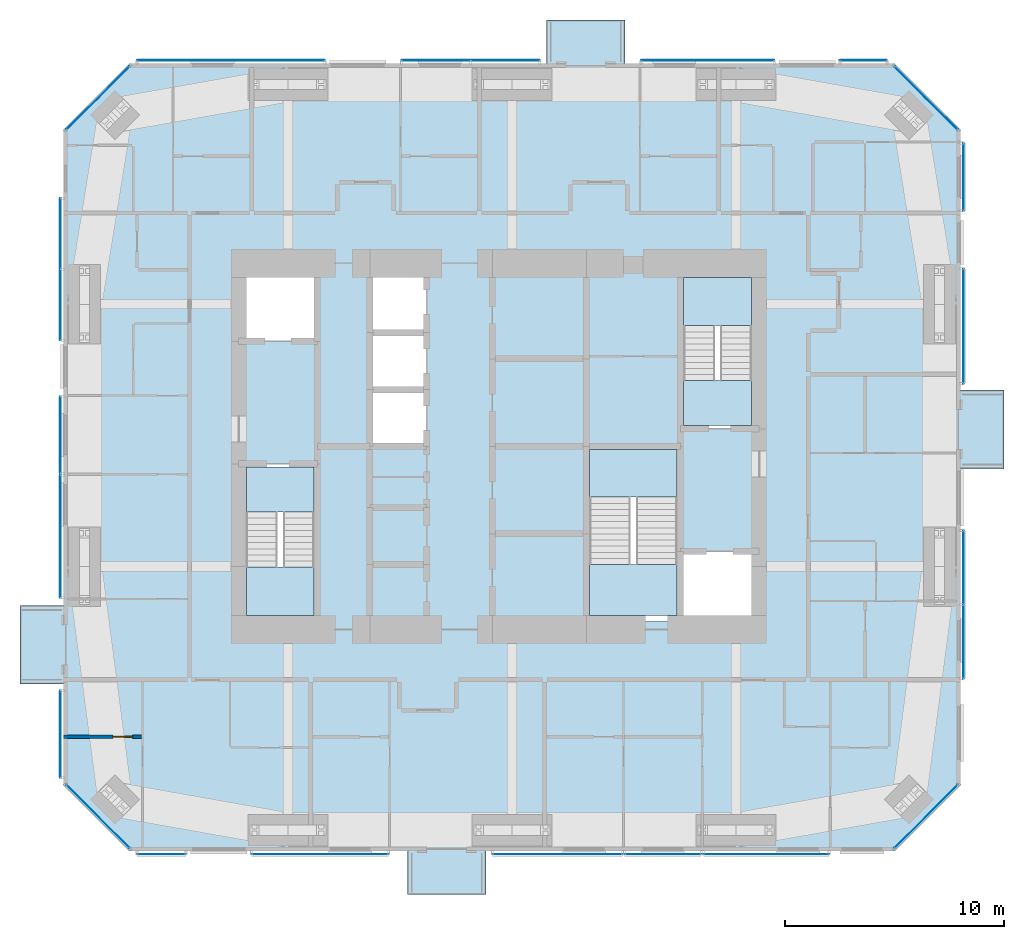
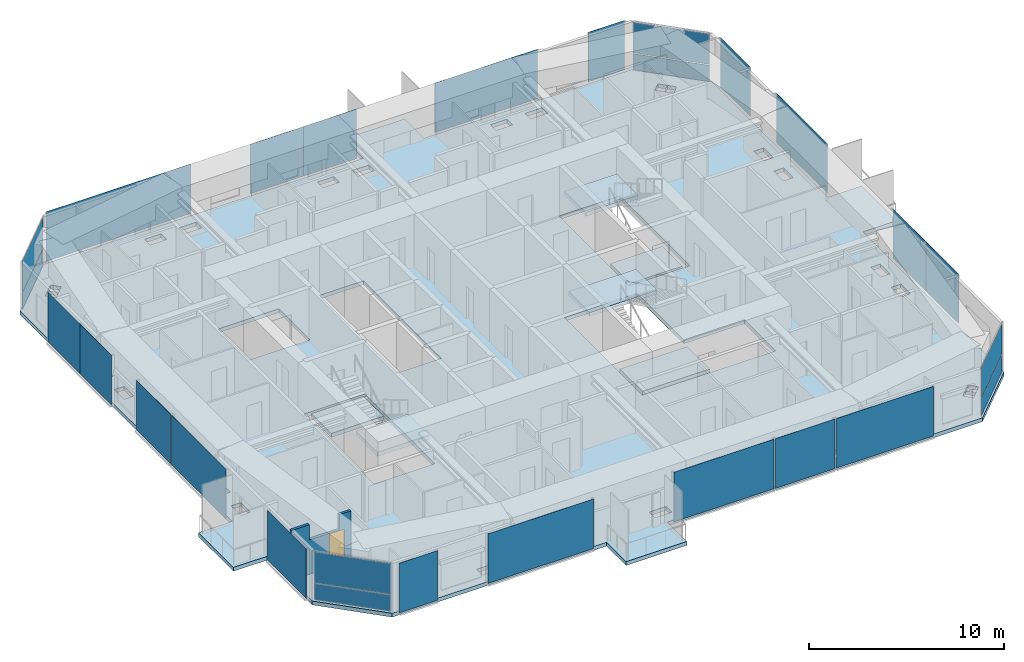
# One storey, part 15 of 23: 27 plates, 7 slabs, 1 door, 1 wall, 1 opening, 23 elements without a shape of their own.
"""IFC4 building model written with IfcOpenShell, lengths in metres."""

from ifc_helpers import new_model, si_unit, direction, frame, frame_2d, origin, origin_2d, place, context, subcontext, project, spatial, polyline, rectangle, outline, extrude, material, layer, layer_set, constituent, constituent_set, type_object, element, fill, aggregate, save


model = new_model("IFC4")

# Units and contexts
model_context = context("Model", 3, precision=1e-05, world=origin(), true_north=direction((0.0, 1.0)))
body_context = subcontext(model_context, "Body", "Model", "MODEL_VIEW")
ifc_project = project(units=[si_unit("LENGTHUNIT", "METRE"), si_unit("AREAUNIT", "SQUARE_METRE"), si_unit("VOLUMEUNIT", "CUBIC_METRE"), si_unit("PLANEANGLEUNIT", "RADIAN"), si_unit("MASSUNIT", "GRAM", prefix="KILO")], contexts=[model_context])

# Site, building, storey
site_placement = place(None, origin())
site = spatial("IfcSite", under=ifc_project, at=site_placement, CompositionType="ELEMENT")
building_placement = place(site_placement, origin())
building = spatial("IfcBuilding", under=site, at=building_placement, Name="Jalousie Tower", CompositionType="ELEMENT")
storey_placement = place(building_placement, frame((0.0, 0.0, 187.85009765625)))
storey = spatial("IfcBuildingStorey", under=building, at=storey_placement, Name="L51", CompositionType="ELEMENT", Elevation=187.85009765625)

# Curtain wall, plates
ifc_material_1 = material(Name="Aluminium curtain wall", Category="aluminium")
curtain_wall_type_1 = type_object("IfcCurtainWallType", Name="CORNER WINDOW WALL", PredefinedType="USERDEFINED", material=ifc_material_1)
curtain_wall_1_placement = place(storey_placement, origin())
curtain_wall_1 = element("IfcCurtainWall", 1, at=curtain_wall_1_placement, inside=storey, type_object=curtain_wall_type_1, Name="Corner Window Wall L51 2", ObjectType="CORNER WINDOW WALL", PredefinedType="USERDEFINED")
ifc_material_2 = material(Name="Laminated impact-rated spandrel glass", Category="glass")
ifc_layer_1 = layer(ifc_material_2, 0.028076171875)
ifc_layer_set_1 = layer_set([ifc_layer_1], Name="Laminated impact-rated spandrel glass")
plate_type_1 = type_object("IfcPlateType", Name="CORNER WINDOW WALL PANEL", PredefinedType="CURTAIN_PANEL", material=ifc_layer_set_1)
plate_1_placement = place(storey_placement, frame((51.4306640625, 1.5693359375, 0.06005859375), z_axis=(0.0, 0.0, 1.0), x_axis=(0.707106781187, 0.707106781187, 0.0)))
plate_1 = element("IfcPlate", 2, at=plate_1_placement, type_object=plate_type_1, Name="CW-C panel 1.1", PredefinedType="CURTAIN_PANEL", context=body_context, shape_type="SweptSolid", body=[
    extrude(rectangle(XDim=4.071533203125, YDim=0.028076171875, at=origin_2d()), origin(), (0.0, 0.0, 1.0), 1.010009765625),
])
plate_2_placement = place(storey_placement, frame((51.4306640625, 1.5693359375, 1.1298828125), z_axis=(0.0, 0.0, 1.0), x_axis=(0.707106781187, 0.707106781187, 0.0)))
plate_2 = element("IfcPlate", 3, at=plate_2_placement, type_object=plate_type_1, Name="CW-C panel 1.2", PredefinedType="CURTAIN_PANEL", context=body_context, shape_type="SweptSolid", body=[
    extrude(rectangle(XDim=4.071533203125, YDim=0.028076171875, at=origin_2d()), origin(), (0.0, 0.0, 1.0), 1.919921875),
])
aggregate(curtain_wall_1, [plate_1, plate_2])

curtain_wall_2_placement = place(storey_placement, origin())
curtain_wall_2 = element("IfcCurtainWall", 4, at=curtain_wall_2_placement, inside=storey, type_object=curtain_wall_type_1, Name="Corner Window Wall L51 4", ObjectType="CORNER WINDOW WALL", PredefinedType="USERDEFINED")
plate_3_placement = place(storey_placement, frame((51.4306640625, 34.4306640625, 0.06005859375), z_axis=(0.0, 0.0, 1.0), x_axis=(-0.707106781187, 0.707106781187, 0.0)))
plate_3 = element("IfcPlate", 5, at=plate_3_placement, type_object=plate_type_1, Name="CW-C panel 1.1", PredefinedType="CURTAIN_PANEL", context=body_context, shape_type="SweptSolid", body=[
    extrude(rectangle(XDim=4.071533203125, YDim=0.028076171875, at=origin_2d()), origin(), (0.0, 0.0, 1.0), 1.010009765625),
])
plate_4_placement = place(storey_placement, frame((51.4306640625, 34.4306640625, 1.1298828125), z_axis=(0.0, 0.0, 1.0), x_axis=(-0.707106781187, 0.707106781187, 0.0)))
plate_4 = element("IfcPlate", 6, at=plate_4_placement, type_object=plate_type_1, Name="CW-C panel 1.2", PredefinedType="CURTAIN_PANEL", context=body_context, shape_type="SweptSolid", body=[
    extrude(rectangle(XDim=4.071533203125, YDim=0.028076171875, at=origin_2d()), origin(), (0.0, 0.0, 1.0), 1.919921875),
])
aggregate(curtain_wall_2, [plate_3, plate_4])

curtain_wall_3_placement = place(storey_placement, origin())
curtain_wall_3 = element("IfcCurtainWall", 7, at=curtain_wall_3_placement, inside=storey, type_object=curtain_wall_type_1, Name="Corner Window Wall L51 6", ObjectType="CORNER WINDOW WALL", PredefinedType="USERDEFINED")
plate_5_placement = place(storey_placement, frame((13.5693359375, 34.4306640625, 0.06005859375), z_axis=(0.0, 0.0, 1.0), x_axis=(-0.707106781187, -0.707106781187, 0.0)))
plate_5 = element("IfcPlate", 8, at=plate_5_placement, type_object=plate_type_1, Name="CW-C panel 1.1", PredefinedType="CURTAIN_PANEL", context=body_context, shape_type="SweptSolid", body=[
    extrude(rectangle(XDim=4.071533203125, YDim=0.028076171875, at=origin_2d()), origin(), (0.0, 0.0, 1.0), 1.010009765625),
])
plate_6_placement = place(storey_placement, frame((13.5693359375, 34.4306640625, 1.1298828125), z_axis=(0.0, 0.0, 1.0), x_axis=(-0.707106781187, -0.707106781187, 0.0)))
plate_6 = element("IfcPlate", 9, at=plate_6_placement, type_object=plate_type_1, Name="CW-C panel 1.2", PredefinedType="CURTAIN_PANEL", context=body_context, shape_type="SweptSolid", body=[
    extrude(rectangle(XDim=4.071533203125, YDim=0.028076171875, at=origin_2d()), origin(), (0.0, 0.0, 1.0), 1.919921875),
])
aggregate(curtain_wall_3, [plate_5, plate_6])

curtain_wall_4_placement = place(storey_placement, origin())
curtain_wall_4 = element("IfcCurtainWall", 10, at=curtain_wall_4_placement, inside=storey, type_object=curtain_wall_type_1, Name="Corner Window Wall L51 8", ObjectType="CORNER WINDOW WALL", PredefinedType="USERDEFINED")
plate_7_placement = place(storey_placement, frame((13.5693359375, 1.5693359375, 0.06005859375), z_axis=(0.0, 0.0, 1.0), x_axis=(0.707106781187, -0.707106781187, 0.0)))
plate_7 = element("IfcPlate", 11, at=plate_7_placement, type_object=plate_type_1, Name="CW-C panel 1.1", PredefinedType="CURTAIN_PANEL", context=body_context, shape_type="SweptSolid", body=[
    extrude(rectangle(XDim=4.071533203125, YDim=0.028076171875, at=origin_2d()), origin(), (0.0, 0.0, 1.0), 1.010009765625),
])
plate_8_placement = place(storey_placement, frame((13.5693359375, 1.5693359375, 1.1298828125), z_axis=(0.0, 0.0, 1.0), x_axis=(0.707106781187, -0.707106781187, 0.0)))
plate_8 = element("IfcPlate", 12, at=plate_8_placement, type_object=plate_type_1, Name="CW-C panel 1.2", PredefinedType="CURTAIN_PANEL", context=body_context, shape_type="SweptSolid", body=[
    extrude(rectangle(XDim=4.071533203125, YDim=0.028076171875, at=origin_2d()), origin(), (0.0, 0.0, 1.0), 1.919921875),
])
aggregate(curtain_wall_4, [plate_7, plate_8])

# Slab
ifc_material_3 = material(Name="Concrete f'c 40 MPa", Category="concrete")
ifc_layer_2 = layer(ifc_material_3, 0.239990234375)
ifc_layer_set_2 = layer_set([ifc_layer_2], Name="Concrete f'c 40 MPa")
slab_type_1 = type_object("IfcSlabType", Name="FLOOR SLAB 240", PredefinedType="FLOOR", material=ifc_layer_set_2)
slab_1_placement = place(storey_placement, frame((0.0, 0.0, -0.239990234375)))
element("IfcSlab", 13, at=slab_1_placement, inside=storey, type_object=slab_type_1, Name="L51 floor slab", PredefinedType="FLOOR", context=body_context, shape_type="SweptSolid", body=[
    extrude(outline(polyline([(34.074951171875, 36.0), (34.074951171875, 38.0), (37.675048828125, 38.0), (37.675048828125, 36.0), (50.0, 36.0), (53.0, 33.0), (53.0, 21.074951171875), (55.0, 21.074951171875), (55.0, 17.47509765625), (53.0, 17.47509765625), (53.0, 3.0), (50.0, 0.0), (31.3125, 0.0), (31.3125, -2.0), (27.71240234375, -2.0), (27.71240234375, 0.0), (15.0, 0.0), (12.0, 3.0), (12.0, 7.625), (10.0, 7.625), (10.0, 11.22509765625), (12.0, 11.22509765625), (12.0, 33.0), (15.0, 36.0), (34.074951171875, 36.0)]), holes=[polyline([(52.336181640625, 25.54150390625), (52.336181640625, 26.52490234375), (51.763916015625, 26.52490234375), (51.763916015625, 25.54150390625), (52.336181640625, 25.54150390625)]), polyline([(51.763916015625, 23.47509765625), (52.336181640625, 23.47509765625), (52.336181640625, 24.45849609375), (51.763916015625, 24.45849609375), (51.763916015625, 23.47509765625)]), polyline([(51.763916015625, 13.54150390625), (52.336181640625, 13.54150390625), (52.336181640625, 14.52490234375), (51.763916015625, 14.52490234375), (51.763916015625, 13.54150390625)]), polyline([(51.763916015625, 11.47509765625), (52.336181640625, 11.47509765625), (52.336181640625, 12.45849609375), (51.763916015625, 12.45849609375), (51.763916015625, 11.47509765625)]), polyline([(50.856689453125, 33.851318359375), (50.451904296875, 33.446533203125), (50.802490234375, 33.095703125), (51.20751953125, 33.500244140625), (50.856689453125, 33.851318359375)]), polyline([(50.802490234375, 2.904296875), (50.451904296875, 2.553466796875), (50.856689453125, 2.148681640625), (51.20751953125, 2.499755859375), (50.802490234375, 2.904296875)]), polyline([(50.500244140625, 1.79248046875), (50.851318359375, 2.143310546875), (50.446533203125, 2.548095703125), (50.095703125, 2.197509765625), (50.500244140625, 1.79248046875)]), polyline([(50.446533203125, 33.451904296875), (50.851318359375, 33.856689453125), (50.500244140625, 34.20751953125), (50.095703125, 33.802490234375), (50.446533203125, 33.451904296875)]), polyline([(44.27490234375, 35.336181640625), (43.29150390625, 35.336181640625), (43.29150390625, 34.763916015625), (44.27490234375, 34.763916015625), (44.27490234375, 35.336181640625)]), polyline([(44.27490234375, 1.236083984375), (43.29150390625, 1.236083984375), (43.29150390625, 0.663818359375), (44.27490234375, 0.663818359375), (44.27490234375, 1.236083984375)]), polyline([(40.199951171875, 19.300048828125), (43.800048828125, 19.300048828125), (43.800048828125, 26.5), (40.199951171875, 26.5), (40.199951171875, 19.300048828125)]), polyline([(35.89990234375, 18.5), (35.89990234375, 10.5), (43.800048828125, 10.5), (43.800048828125, 13.699951171875), (40.199951171875, 13.699951171875), (40.199951171875, 18.5), (35.89990234375, 18.5)]), polyline([(42.20849609375, 34.763916015625), (42.20849609375, 35.336181640625), (41.22509765625, 35.336181640625), (41.22509765625, 34.763916015625), (42.20849609375, 34.763916015625)]), polyline([(41.22509765625, 0.663818359375), (42.20849609375, 0.663818359375), (42.20849609375, 1.236083984375), (41.22509765625, 1.236083984375), (41.22509765625, 0.663818359375)]), polyline([(33.04150390625, 35.336181640625), (33.04150390625, 34.763916015625), (34.02490234375, 34.763916015625), (34.02490234375, 35.336181640625), (33.04150390625, 35.336181640625)]), polyline([(33.04150390625, 1.236083984375), (33.04150390625, 0.663818359375), (34.02490234375, 0.663818359375), (34.02490234375, 1.236083984375), (33.04150390625, 1.236083984375)]), polyline([(31.95849609375, 34.763916015625), (31.95849609375, 35.336181640625), (30.97509765625, 35.336181640625), (30.97509765625, 34.763916015625), (31.95849609375, 34.763916015625)]), polyline([(31.95849609375, 0.663818359375), (31.95849609375, 1.236083984375), (30.97509765625, 1.236083984375), (30.97509765625, 0.663818359375), (31.95849609375, 0.663818359375)]), polyline([(28.60009765625, 18.5), (28.60009765625, 26.5), (26.0, 26.5), (26.0, 18.5), (28.60009765625, 18.5)]), polyline([(22.79150390625, 1.236083984375), (22.79150390625, 0.663818359375), (23.77490234375, 0.663818359375), (23.77490234375, 1.236083984375), (22.79150390625, 1.236083984375)]), polyline([(23.77490234375, 34.763916015625), (23.77490234375, 35.336181640625), (22.79150390625, 35.336181640625), (22.79150390625, 34.763916015625), (23.77490234375, 34.763916015625)]), polyline([(20.0, 23.300048828125), (23.60009765625, 23.300048828125), (23.60009765625, 26.5), (20.0, 26.5), (20.0, 23.300048828125)]), polyline([(20.0, 10.5), (23.60009765625, 10.5), (23.60009765625, 17.699951171875), (20.0, 17.699951171875), (20.0, 10.5)]), polyline([(20.72509765625, 35.336181640625), (20.72509765625, 34.763916015625), (21.70849609375, 34.763916015625), (21.70849609375, 35.336181640625), (20.72509765625, 35.336181640625)]), polyline([(20.72509765625, 1.236083984375), (20.72509765625, 0.663818359375), (21.70849609375, 0.663818359375), (21.70849609375, 1.236083984375), (20.72509765625, 1.236083984375)]), polyline([(14.553466796875, 33.451904296875), (14.904296875, 33.802490234375), (14.499755859375, 34.20751953125), (14.148681640625, 33.856689453125), (14.553466796875, 33.451904296875)]), polyline([(14.499755859375, 1.79248046875), (14.904296875, 2.197509765625), (14.553466796875, 2.548095703125), (14.148681640625, 2.143310546875), (14.499755859375, 1.79248046875)]), polyline([(14.143310546875, 33.851318359375), (13.79248046875, 33.500244140625), (14.197509765625, 33.095703125), (14.548095703125, 33.446533203125), (14.143310546875, 33.851318359375)]), polyline([(14.143310546875, 2.148681640625), (14.548095703125, 2.553466796875), (14.197509765625, 2.904296875), (13.79248046875, 2.499755859375), (14.143310546875, 2.148681640625)]), polyline([(12.663818359375, 11.47509765625), (13.236083984375, 11.47509765625), (13.236083984375, 12.45849609375), (12.663818359375, 12.45849609375), (12.663818359375, 11.47509765625)]), polyline([(13.236083984375, 24.45849609375), (12.663818359375, 24.45849609375), (12.663818359375, 23.47509765625), (13.236083984375, 23.47509765625), (13.236083984375, 24.45849609375)]), polyline([(12.663818359375, 25.54150390625), (13.236083984375, 25.54150390625), (13.236083984375, 26.52490234375), (12.663818359375, 26.52490234375), (12.663818359375, 25.54150390625)]), polyline([(13.236083984375, 13.54150390625), (13.236083984375, 14.52490234375), (12.663818359375, 14.52490234375), (12.663818359375, 13.54150390625), (13.236083984375, 13.54150390625)])]), origin(), (0.0, 0.0, 1.0), 0.239990234375),
])

# Curtain wall, plate
ifc_material_4 = material(Name="Perforated aluminium sheet", Category="aluminium")
curtain_wall_type_2 = type_object("IfcCurtainWallType", Name="SOLAR SCREEN SS-1", PredefinedType="USERDEFINED", material=ifc_material_4)
curtain_wall_5_placement = place(storey_placement, origin())
curtain_wall_5 = element("IfcCurtainWall", 14, at=curtain_wall_5_placement, inside=storey, type_object=curtain_wall_type_2, Name="Solar screen L51", ObjectType="SOLAR SCREEN SS-1", PredefinedType="USERDEFINED")
ifc_material_5 = material(Name="Perforated aluminium sheet", Category="aluminium")
ifc_layer_3 = layer(ifc_material_5, 0.006103515625)
ifc_layer_set_3 = layer_set([ifc_layer_3], Name="Perforated aluminium sheet")
plate_type_2 = type_object("IfcPlateType", Name="SOLAR SCREEN SS-1 PANEL", PredefinedType="CURTAIN_PANEL", material=ifc_layer_set_3)
plate_9_placement = place(storey_placement, frame((16.47119140625, -0.150390625, 0.0), z_axis=(0.0, 0.0, 1.0), x_axis=(1.0, 0.0, 0.0)))
plate_9 = element("IfcPlate", 15, at=plate_9_placement, type_object=plate_type_2, Name="SS1 perforated panel 1", PredefinedType="CURTAIN_PANEL", context=body_context, shape_type="SweptSolid", body=[
    extrude(rectangle(XDim=2.239990234375, YDim=0.006103515625, at=origin_2d()), origin(), (0.0, 0.0, 1.0), 3.110107421875),
])
aggregate(curtain_wall_5, [plate_9])

curtain_wall_6_placement = place(storey_placement, origin())
curtain_wall_6 = element("IfcCurtainWall", 16, at=curtain_wall_6_placement, inside=storey, type_object=curtain_wall_type_2, Name="Solar screen L51", ObjectType="SOLAR SCREEN SS-1", PredefinedType="USERDEFINED")
plate_10_placement = place(storey_placement, frame((23.720703125, -0.150390625, 0.0), z_axis=(0.0, 0.0, 1.0), x_axis=(1.0, 0.0, 0.0)))
plate_10 = element("IfcPlate", 17, at=plate_10_placement, type_object=plate_type_2, Name="SS1 perforated panel 1", PredefinedType="CURTAIN_PANEL", context=body_context, shape_type="SweptSolid", body=[
    extrude(rectangle(XDim=6.2587890625, YDim=0.006103515625, at=origin_2d()), origin(), (0.0, 0.0, 1.0), 3.110107421875),
])
aggregate(curtain_wall_6, [plate_10])

curtain_wall_7_placement = place(storey_placement, origin())
curtain_wall_7 = element("IfcCurtainWall", 18, at=curtain_wall_7_placement, inside=storey, type_object=curtain_wall_type_2, Name="Solar screen L51", ObjectType="SOLAR SCREEN SS-1", PredefinedType="USERDEFINED")
plate_11_placement = place(storey_placement, frame((34.581298828125, -0.150390625, 0.0), z_axis=(0.0, 0.0, 1.0), x_axis=(1.0, 0.0, 0.0)))
plate_11 = element("IfcPlate", 19, at=plate_11_placement, type_object=plate_type_2, Name="SS1 perforated panel 1", PredefinedType="CURTAIN_PANEL", context=body_context, shape_type="SweptSolid", body=[
    extrude(rectangle(XDim=5.9375, YDim=0.006103515625, at=origin_2d()), origin(), (0.0, 0.0, 1.0), 3.110107421875),
])
aggregate(curtain_wall_7, [plate_11])

curtain_wall_8_placement = place(storey_placement, origin())
curtain_wall_8 = element("IfcCurtainWall", 20, at=curtain_wall_8_placement, inside=storey, type_object=curtain_wall_type_2, Name="Solar screen L51", ObjectType="SOLAR SCREEN SS-1", PredefinedType="USERDEFINED")
plate_12_placement = place(storey_placement, frame((39.39990234375, -0.150390625, 0.0), z_axis=(0.0, 0.0, 1.0), x_axis=(1.0, 0.0, 0.0)))
plate_12 = element("IfcPlate", 21, at=plate_12_placement, type_object=plate_type_2, Name="SS1 perforated panel 1", PredefinedType="CURTAIN_PANEL", context=body_context, shape_type="SweptSolid", body=[
    extrude(rectangle(XDim=3.5, YDim=0.006103515625, at=origin_2d()), origin(), (0.0, 0.0, 1.0), 3.110107421875),
])
aggregate(curtain_wall_8, [plate_12])

curtain_wall_9_placement = place(storey_placement, origin())
curtain_wall_9 = element("IfcCurtainWall", 22, at=curtain_wall_9_placement, inside=storey, type_object=curtain_wall_type_2, Name="Solar screen L51", ObjectType="SOLAR SCREEN SS-1", PredefinedType="USERDEFINED")
plate_13_placement = place(storey_placement, frame((44.125, -0.150390625, 0.0), z_axis=(0.0, 0.0, 1.0), x_axis=(1.0, 0.0, 0.0)))
plate_13 = element("IfcPlate", 23, at=plate_13_placement, type_object=plate_type_2, Name="SS1 perforated panel 1", PredefinedType="CURTAIN_PANEL", context=body_context, shape_type="SweptSolid", body=[
    extrude(rectangle(XDim=5.75, YDim=0.006103515625, at=origin_2d()), origin(), (0.0, 0.0, 1.0), 3.110107421875),
])
aggregate(curtain_wall_9, [plate_13])

# Curtain wall, plates
curtain_wall_10_placement = place(storey_placement, origin())
curtain_wall_10 = element("IfcCurtainWall", 24, at=curtain_wall_10_placement, inside=storey, type_object=curtain_wall_type_2, Name="Solar screen L51", ObjectType="SOLAR SCREEN SS-1", PredefinedType="USERDEFINED")
plate_14_placement = place(storey_placement, frame((53.150390625, 9.569580078125, 0.0), z_axis=(0.0, 0.0, 1.0), x_axis=(0.0, 1.0, 0.0)))
plate_14 = element("IfcPlate", 25, at=plate_14_placement, type_object=plate_type_2, Name="SS1 perforated panel 1", PredefinedType="CURTAIN_PANEL", context=body_context, shape_type="SweptSolid", body=[
    extrude(rectangle(XDim=3.38916015625, YDim=0.006103515625, at=origin_2d()), origin(), (0.0, 0.0, 1.0), 3.110107421875),
])
plate_15_placement = place(storey_placement, frame((53.150390625, 12.958740234375, 0.0), z_axis=(0.0, 0.0, 1.0), x_axis=(0.0, 1.0, 0.0)))
plate_15 = element("IfcPlate", 26, at=plate_15_placement, type_object=plate_type_2, Name="SS1 perforated panel 2", PredefinedType="CURTAIN_PANEL", context=body_context, shape_type="SweptSolid", body=[
    extrude(rectangle(XDim=3.38916015625, YDim=0.006103515625, at=origin_2d()), origin(), (0.0, 0.0, 1.0), 3.110107421875),
])
aggregate(curtain_wall_10, [plate_14, plate_15])

# Curtain wall, plate
curtain_wall_11_placement = place(storey_placement, origin())
curtain_wall_11 = element("IfcCurtainWall", 27, at=curtain_wall_11_placement, inside=storey, type_object=curtain_wall_type_2, Name="Solar screen L51", ObjectType="SOLAR SCREEN SS-1", PredefinedType="USERDEFINED")
plate_16_placement = place(storey_placement, frame((53.150390625, 24.0, 0.0), z_axis=(0.0, 0.0, 1.0), x_axis=(0.0, 1.0, 0.0)))
plate_16 = element("IfcPlate", 28, at=plate_16_placement, type_object=plate_type_2, Name="SS1 perforated panel 1", PredefinedType="CURTAIN_PANEL", context=body_context, shape_type="SweptSolid", body=[
    extrude(rectangle(XDim=5.25, YDim=0.006103515625, at=origin_2d()), origin(), (0.0, 0.0, 1.0), 3.110107421875),
])
aggregate(curtain_wall_11, [plate_16])

curtain_wall_12_placement = place(storey_placement, origin())
curtain_wall_12 = element("IfcCurtainWall", 29, at=curtain_wall_12_placement, inside=storey, type_object=curtain_wall_type_2, Name="Solar screen L51", ObjectType="SOLAR SCREEN SS-1", PredefinedType="USERDEFINED")
plate_17_placement = place(storey_placement, frame((53.150390625, 30.822509765625, 0.0), z_axis=(0.0, 0.0, 1.0), x_axis=(0.0, 1.0, 0.0)))
plate_17 = element("IfcPlate", 30, at=plate_17_placement, type_object=plate_type_2, Name="SS1 perforated panel 1", PredefinedType="CURTAIN_PANEL", context=body_context, shape_type="SweptSolid", body=[
    extrude(rectangle(XDim=3.09521484375, YDim=0.006103515625, at=origin_2d()), origin(), (0.0, 0.0, 1.0), 3.110107421875),
])
aggregate(curtain_wall_12, [plate_17])

curtain_wall_13_placement = place(storey_placement, origin())
curtain_wall_13 = element("IfcCurtainWall", 31, at=curtain_wall_13_placement, inside=storey, type_object=curtain_wall_type_2, Name="Solar screen L51", ObjectType="SOLAR SCREEN SS-1", PredefinedType="USERDEFINED")
plate_18_placement = place(storey_placement, frame((48.573974609375, 36.150390625, 0.0), z_axis=(0.0, 0.0, 1.0), x_axis=(-1.0, 0.0, 0.0)))
plate_18 = element("IfcPlate", 32, at=plate_18_placement, type_object=plate_type_2, Name="SS1 perforated panel 1", PredefinedType="CURTAIN_PANEL", context=body_context, shape_type="SweptSolid", body=[
    extrude(rectangle(XDim=2.1494140625, YDim=0.006103515625, at=origin_2d()), origin(), (0.0, 0.0, 1.0), 3.110107421875),
])
aggregate(curtain_wall_13, [plate_18])

curtain_wall_14_placement = place(storey_placement, origin())
curtain_wall_14 = element("IfcCurtainWall", 33, at=curtain_wall_14_placement, inside=storey, type_object=curtain_wall_type_2, Name="Solar screen L51", ObjectType="SOLAR SCREEN SS-1", PredefinedType="USERDEFINED")
plate_19_placement = place(storey_placement, frame((41.44970703125, 36.150390625, 0.0), z_axis=(0.0, 0.0, 1.0), x_axis=(-1.0, 0.0, 0.0)))
plate_19 = element("IfcPlate", 34, at=plate_19_placement, type_object=plate_type_2, Name="SS1 perforated panel 1", PredefinedType="CURTAIN_PANEL", context=body_context, shape_type="SweptSolid", body=[
    extrude(rectangle(XDim=6.099365234375, YDim=0.006103515625, at=origin_2d()), origin(), (0.0, 0.0, 1.0), 3.110107421875),
])
aggregate(curtain_wall_14, [plate_19])

# Curtain wall, plates
curtain_wall_15_placement = place(storey_placement, origin())
curtain_wall_15 = element("IfcCurtainWall", 35, at=curtain_wall_15_placement, inside=storey, type_object=curtain_wall_type_2, Name="Solar screen L51", ObjectType="SOLAR SCREEN SS-1", PredefinedType="USERDEFINED")
plate_20_placement = place(storey_placement, frame((32.19384765625, 36.150390625, 0.0), z_axis=(0.0, 0.0, 1.0), x_axis=(-1.0, 0.0, 0.0)))
plate_20 = element("IfcPlate", 36, at=plate_20_placement, type_object=plate_type_2, Name="SS1 perforated panel 1", PredefinedType="CURTAIN_PANEL", context=body_context, shape_type="SweptSolid", body=[
    extrude(rectangle(XDim=3.16259765625, YDim=0.006103515625, at=origin_2d()), origin(), (0.0, 0.0, 1.0), 3.110107421875),
])
plate_21_placement = place(storey_placement, frame((29.03125, 36.150390625, 0.0), z_axis=(0.0, 0.0, 1.0), x_axis=(-1.0, 0.0, 0.0)))
plate_21 = element("IfcPlate", 37, at=plate_21_placement, type_object=plate_type_2, Name="SS1 perforated panel 2", PredefinedType="CURTAIN_PANEL", context=body_context, shape_type="SweptSolid", body=[
    extrude(rectangle(XDim=3.16259765625, YDim=0.006103515625, at=origin_2d()), origin(), (0.0, 0.0, 1.0), 3.110107421875),
])
aggregate(curtain_wall_15, [plate_20, plate_21])

# Curtain wall, plate
curtain_wall_16_placement = place(storey_placement, origin())
curtain_wall_16 = element("IfcCurtainWall", 38, at=curtain_wall_16_placement, inside=storey, type_object=curtain_wall_type_2, Name="Solar screen L51", ObjectType="SOLAR SCREEN SS-1", PredefinedType="USERDEFINED")
plate_22_placement = place(storey_placement, frame((19.648193359375, 36.150390625, 0.0), z_axis=(0.0, 0.0, 1.0), x_axis=(-1.0, 0.0, 0.0)))
plate_22 = element("IfcPlate", 39, at=plate_22_placement, type_object=plate_type_2, Name="SS1 perforated panel 1", PredefinedType="CURTAIN_PANEL", context=body_context, shape_type="SweptSolid", body=[
    extrude(rectangle(XDim=8.59375, YDim=0.006103515625, at=origin_2d()), origin(), (0.0, 0.0, 1.0), 3.110107421875),
])
aggregate(curtain_wall_16, [plate_22])

# Curtain wall, plates
curtain_wall_17_placement = place(storey_placement, origin())
curtain_wall_17 = element("IfcCurtainWall", 40, at=curtain_wall_17_placement, inside=storey, type_object=curtain_wall_type_2, Name="Solar screen L51", ObjectType="SOLAR SCREEN SS-1", PredefinedType="USERDEFINED")
plate_23_placement = place(storey_placement, frame((11.849609375, 28.22509765625, 0.0), z_axis=(0.0, 0.0, 1.0), x_axis=(0.0, -1.0, 0.0)))
plate_23 = element("IfcPlate", 41, at=plate_23_placement, type_object=plate_type_2, Name="SS1 perforated panel 1", PredefinedType="CURTAIN_PANEL", context=body_context, shape_type="SweptSolid", body=[
    extrude(rectangle(XDim=3.25, YDim=0.006103515625, at=origin_2d()), origin(), (0.0, 0.0, 1.0), 3.110107421875),
])
plate_24_placement = place(storey_placement, frame((11.849609375, 24.97509765625, 0.0), z_axis=(0.0, 0.0, 1.0), x_axis=(0.0, -1.0, 0.0)))
plate_24 = element("IfcPlate", 42, at=plate_24_placement, type_object=plate_type_2, Name="SS1 perforated panel 2", PredefinedType="CURTAIN_PANEL", context=body_context, shape_type="SweptSolid", body=[
    extrude(rectangle(XDim=3.25, YDim=0.006103515625, at=origin_2d()), origin(), (0.0, 0.0, 1.0), 3.110107421875),
])
aggregate(curtain_wall_17, [plate_23, plate_24])

# Curtain wall, plate
curtain_wall_18_placement = place(storey_placement, origin())
curtain_wall_18 = element("IfcCurtainWall", 43, at=curtain_wall_18_placement, inside=storey, type_object=curtain_wall_type_2, Name="Solar screen L51", ObjectType="SOLAR SCREEN SS-1", PredefinedType="USERDEFINED")
plate_25_placement = place(storey_placement, frame((11.849609375, 19.02490234375, 0.0), z_axis=(0.0, 0.0, 1.0), x_axis=(0.0, -1.0, 0.0)))
plate_25 = element("IfcPlate", 44, at=plate_25_placement, type_object=plate_type_2, Name="SS1 perforated panel 1", PredefinedType="CURTAIN_PANEL", context=body_context, shape_type="SweptSolid", body=[
    extrude(rectangle(XDim=3.5, YDim=0.006103515625, at=origin_2d()), origin(), (0.0, 0.0, 1.0), 3.110107421875),
])
aggregate(curtain_wall_18, [plate_25])

curtain_wall_19_placement = place(storey_placement, origin())
curtain_wall_19 = element("IfcCurtainWall", 45, at=curtain_wall_19_placement, inside=storey, type_object=curtain_wall_type_2, Name="Solar screen L51", ObjectType="SOLAR SCREEN SS-1", PredefinedType="USERDEFINED")
plate_26_placement = place(storey_placement, frame((11.849609375, 14.375, 0.0), z_axis=(0.0, 0.0, 1.0), x_axis=(0.0, -1.0, 0.0)))
plate_26 = element("IfcPlate", 46, at=plate_26_placement, type_object=plate_type_2, Name="SS1 perforated panel 1", PredefinedType="CURTAIN_PANEL", context=body_context, shape_type="SweptSolid", body=[
    extrude(rectangle(XDim=5.60009765625, YDim=0.006103515625, at=origin_2d()), origin(), (0.0, 0.0, 1.0), 3.110107421875),
])
aggregate(curtain_wall_19, [plate_26])

curtain_wall_20_placement = place(storey_placement, origin())
curtain_wall_20 = element("IfcCurtainWall", 47, at=curtain_wall_20_placement, inside=storey, type_object=curtain_wall_type_2, Name="Solar screen L51", ObjectType="SOLAR SCREEN SS-1", PredefinedType="USERDEFINED")
plate_27_placement = place(storey_placement, frame((11.849609375, 5.338134765625, 0.0), z_axis=(0.0, 0.0, 1.0), x_axis=(0.0, -1.0, 0.0)))
plate_27 = element("IfcPlate", 48, at=plate_27_placement, type_object=plate_type_2, Name="SS1 perforated panel 1", PredefinedType="CURTAIN_PANEL", context=body_context, shape_type="SweptSolid", body=[
    extrude(rectangle(XDim=3.9736328125, YDim=0.006103515625, at=origin_2d()), origin(), (0.0, 0.0, 1.0), 3.110107421875),
])
aggregate(curtain_wall_20, [plate_27])

# Stair, slabs
ifc_material_6 = material(Name="Concrete f'c 40 MPa", Category="concrete")
stair_type = type_object("IfcStairType", Name="EXIT STAIR", PredefinedType="HALF_TURN_STAIR", material=ifc_material_6)
stair_1_placement = place(storey_placement, origin())
stair_1 = element("IfcStair", 49, at=stair_1_placement, inside=storey, type_object=stair_type, Name="Exit stair A L51", PredefinedType="HALF_TURN_STAIR")
ifc_material_7 = material(Name="Concrete f'c 40 MPa", Category="concrete")
ifc_layer_4 = layer(ifc_material_7, 0.25)
ifc_layer_set_4 = layer_set([ifc_layer_4], Name="Concrete f'c 40 MPa")
slab_type_2 = type_object("IfcSlabType", Name="STAIR LANDING 250", PredefinedType="LANDING", material=ifc_layer_set_4)
slab_2_placement = place(storey_placement, frame((0.0, 0.0, -0.25)))
slab_2 = element("IfcSlab", 50, at=slab_2_placement, type_object=slab_type_2, Name="ST-A landing 1", PredefinedType="LANDING", context=body_context, shape_type="SweptSolid", body=[
    extrude(outline(polyline([(20.35009765625, 15.49755859375), (23.449951171875, 15.49755859375), (23.449951171875, 17.550048828125), (20.35009765625, 17.550048828125), (20.35009765625, 15.49755859375)])), origin(), (0.0, 0.0, 1.0), 0.25),
])
slab_3_placement = place(storey_placement, frame((0.0, 0.0, 1.4248046875)))
slab_3 = element("IfcSlab", 51, at=slab_3_placement, type_object=slab_type_2, Name="ST-A landing 2", PredefinedType="LANDING", context=body_context, shape_type="SweptSolid", body=[
    extrude(outline(polyline([(20.35009765625, 10.77490234375), (23.449951171875, 10.77490234375), (23.449951171875, 12.9775390625), (20.35009765625, 12.9775390625), (20.35009765625, 10.77490234375)])), origin(), (0.0, 0.0, 1.0), 0.25),
])
aggregate(stair_1, [slab_2, slab_3])

stair_2_placement = place(storey_placement, origin())
stair_2 = element("IfcStair", 52, at=stair_2_placement, inside=storey, type_object=stair_type, Name="Exit stair B L51", PredefinedType="HALF_TURN_STAIR")
slab_4_placement = place(storey_placement, frame((0.0, 0.0, -0.25)))
slab_4 = element("IfcSlab", 53, at=slab_4_placement, type_object=slab_type_2, Name="ST-B landing 1", PredefinedType="LANDING", context=body_context, shape_type="SweptSolid", body=[
    extrude(outline(polyline([(40.35009765625, 19.449951171875), (43.449951171875, 19.449951171875), (43.449951171875, 21.50244140625), (40.35009765625, 21.50244140625), (40.35009765625, 19.449951171875)])), origin(), (0.0, 0.0, 1.0), 0.25),
])
slab_5_placement = place(storey_placement, frame((0.0, 0.0, 1.4248046875)))
slab_5 = element("IfcSlab", 54, at=slab_5_placement, type_object=slab_type_2, Name="ST-B landing 2", PredefinedType="LANDING", context=body_context, shape_type="SweptSolid", body=[
    extrude(outline(polyline([(40.35009765625, 24.0224609375), (43.449951171875, 24.0224609375), (43.449951171875, 26.22509765625), (40.35009765625, 26.22509765625), (40.35009765625, 24.0224609375)])), origin(), (0.0, 0.0, 1.0), 0.25),
])
aggregate(stair_2, [slab_4, slab_5])

stair_3_placement = place(storey_placement, origin())
stair_3 = element("IfcStair", 55, at=stair_3_placement, inside=storey, type_object=stair_type, Name="Exit stair C L51", PredefinedType="HALF_TURN_STAIR")
slab_6_placement = place(storey_placement, frame((0.0, 0.0, -0.25)))
slab_6 = element("IfcSlab", 56, at=slab_6_placement, type_object=slab_type_2, Name="ST-C landing 1", PredefinedType="LANDING", context=body_context, shape_type="SweptSolid", body=[
    extrude(outline(polyline([(36.050048828125, 10.77490234375), (40.050048828125, 10.77490234375), (40.050048828125, 13.097412109375), (36.050048828125, 13.097412109375), (36.050048828125, 10.77490234375)])), origin(), (0.0, 0.0, 1.0), 0.25),
])
slab_7_placement = place(storey_placement, frame((0.0, 0.0, 1.4248046875)))
slab_7 = element("IfcSlab", 57, at=slab_7_placement, type_object=slab_type_2, Name="ST-C landing 2", PredefinedType="LANDING", context=body_context, shape_type="SweptSolid", body=[
    extrude(outline(polyline([(36.050048828125, 16.177490234375), (40.050048828125, 16.177490234375), (40.050048828125, 18.35009765625), (36.050048828125, 18.35009765625), (36.050048828125, 16.177490234375)])), origin(), (0.0, 0.0, 1.0), 0.25),
])
aggregate(stair_3, [slab_6, slab_7])

# Wall, opening, door
ifc_material_8 = material(Name="Concrete block ASTM C90", Category="concrete")
ifc_constituent_1 = constituent(ifc_material_8, Name="Body")
ifc_material_9 = material(Name="Render")
ifc_constituent_2 = constituent(ifc_material_9, Name="Finish")
ifc_constituent_set = constituent_set(constituents=[ifc_constituent_1, ifc_constituent_2])
wall_type = type_object("IfcWallType", Name="BATHROOM WALL 150", PredefinedType="PLUMBINGWALL", material=ifc_constituent_set)
wall_placement = place(storey_placement, frame((12.0, 5.22509765625, 0.0), z_axis=(0.0, 0.0, 1.0), x_axis=(1.0, 0.0, 0.0)))
wall = element("IfcWall", 58, at=wall_placement, inside=storey, type_object=wall_type, Name="Bathroom Wall 150 L51", PredefinedType="PLUMBINGWALL", context=body_context, shape_type="SweptSolid", body=[
    extrude(outline(polyline([(0.0, 0.0), (3.550048828125, 0.0), (3.550048828125, 3.10986328125), (2.86328125, 3.10986328125), (2.86328125, 2.14990234375), (1.078125, 2.14990234375), (1.078125, 3.10986328125), (0.0, 3.10986328125), (0.0, 0.0)])), frame((0.0, 0.074951171875, 0.0), z_axis=(0.0, -1.0, 0.0), x_axis=(1.0, 0.0, 0.0)), (0.0, 0.0, 1.0), 0.14990234375),
])
opening_placement = place(wall_placement, frame((2.25, 0.0, 0.0)))
opening = element("IfcOpeningElement", 59, at=opening_placement, cuts=wall, Name="Opening D3", PredefinedType="OPENING", context=body_context, shape_type="SweptSolid", body=[
    extrude(rectangle(XDim=0.89990234375, YDim=2.10009765625, at=frame_2d((0.449951171875, 1.050048828125))), frame((0.0, 0.0849609375, 0.0), z_axis=(0.0, -1.0, 0.0), x_axis=(1.0, 0.0, 0.0)), (0.0, 0.0, 1.0), 0.169921875),
])
ifc_material_10 = material(Name="Timber door", Category="wood")
door_type = type_object("IfcDoorType", Name="BATHROOM DOOR 900", OperationType="SINGLE_SWING_LEFT", PredefinedType="DOOR", material=ifc_material_10)
door_placement = place(opening_placement, origin())
door = element("IfcDoor", 60, at=door_placement, inside=storey, type_object=door_type, Name="Apartment 5101 bedroom 1 bathroom door", OperationType="SINGLE_SWING_RIGHT", OverallHeight=2.10009765625, OverallWidth=0.89990234375, PredefinedType="DOOR", context=body_context, shape_type="SweptSolid", body=[
    extrude(rectangle(XDim=0.89990234375, YDim=2.10009765625, at=frame_2d((0.449951171875, 1.050048828125))), frame((0.0, 0.02490234375, 0.0), z_axis=(0.0, -1.0, 0.0), x_axis=(1.0, 0.0, 0.0)), (0.0, 0.0, 1.0), 0.050048828125),
])
fill(opening, door)

save(model, "model.ifc")
